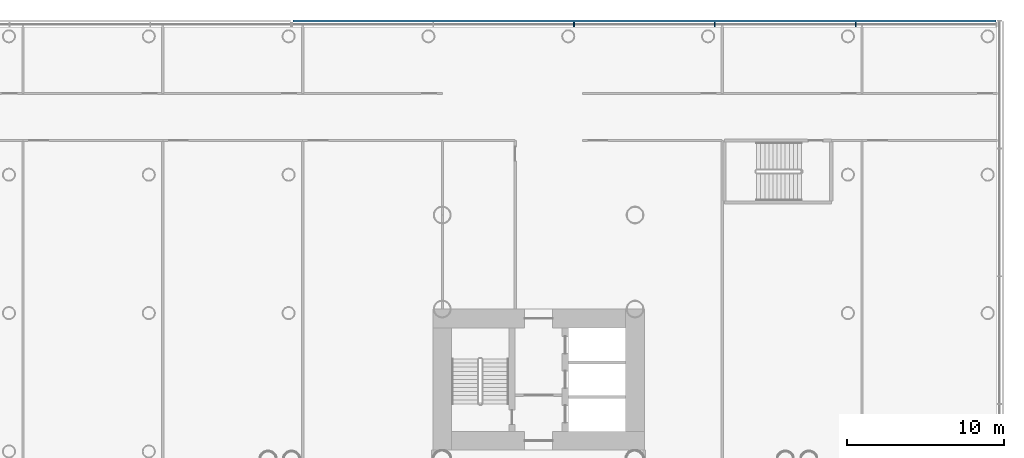
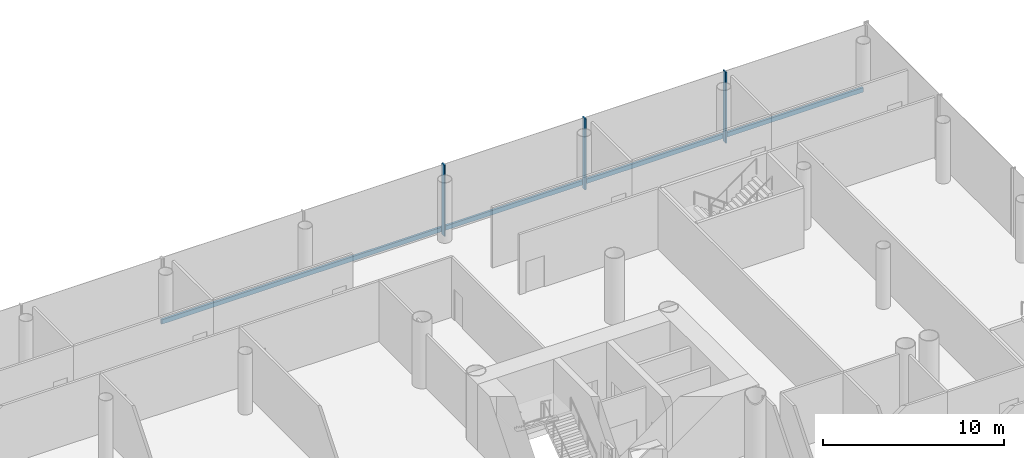
# One storey, part 12 of 49: 4 members, 1 element without a shape of its own.
"""IFC4 building model written with IfcOpenShell, lengths in metres."""

from ifc_helpers import new_model, si_unit, direction, frame, origin, origin_2d, place, context, subcontext, project, spatial, rectangle, extrude, material, layer, layer_set, material_profile, profile_set, type_object, element, aggregate, save


model = new_model("IFC4")

# Units and contexts
model_context = context("Model", 3, precision=1e-05, world=origin(), true_north=direction((0.0, 1.0)))
body_context = subcontext(model_context, "Body", "Model", "MODEL_VIEW")
ifc_project = project(units=[si_unit("LENGTHUNIT", "METRE"), si_unit("AREAUNIT", "SQUARE_METRE"), si_unit("VOLUMEUNIT", "CUBIC_METRE"), si_unit("PLANEANGLEUNIT", "RADIAN"), si_unit("MASSUNIT", "GRAM", prefix="KILO")], contexts=[model_context])

# Site, building, storey
site_placement = place(None, origin())
site = spatial("IfcSite", under=ifc_project, at=site_placement, CompositionType="ELEMENT")
building_placement = place(site_placement, origin())
building = spatial("IfcBuilding", under=site, at=building_placement, Name="Ipe Terrace Towers", CompositionType="ELEMENT")
storey_placement = place(building_placement, frame((0.0, 0.0, 20.0)))
storey = spatial("IfcBuildingStorey", under=building, at=storey_placement, Name="L04", CompositionType="ELEMENT", Elevation=20.0)

# Curtain wall, members
ifc_material_1 = material(Name="Aluminium alloy 6063-T6", Category="aluminium")
ifc_layer = layer(ifc_material_1, 0.43994140625)
ifc_layer_set = layer_set([ifc_layer], Name="PODIUM GLAZING CURTAIN WALL")
curtain_wall_type = type_object("IfcCurtainWallType", Name="PODIUM GLAZING CURTAIN WALL", PredefinedType="NOTDEFINED", material=ifc_layer_set)
curtain_wall_placement = place(storey_placement, origin())
curtain_wall = element("IfcCurtainWall", 1, at=curtain_wall_placement, inside=storey, type_object=curtain_wall_type, Name="POD-CW-L04-01a curtain wall", PredefinedType="NOTDEFINED")
ifc_material_2 = material(Name="Aluminium alloy 6063-T6", Category="aluminium")
ifc_material_profile_1 = material_profile(ifc_material_2, rectangle(XDim=0.300048828125, YDim=0.080078125, at=origin_2d()), Name="PODIUM GLAZING MULLION 300 x 80")
ifc_profile_set_1 = profile_set([ifc_material_profile_1], Name="Aluminium alloy 6063-T6")
member_type_1 = type_object("IfcMemberType", Name="PODIUM GLAZING MULLION 300 x 80", PredefinedType="MULLION", material=ifc_profile_set_1)
member_1_placement = place(storey_placement, frame((56.22607421875, 33.89990234375, -0.300048828125), z_axis=(0.0, 0.0, 1.0), x_axis=(0.0, 1.0, 0.0)))
member_1 = element("IfcMember", 2, at=member_1_placement, type_object=member_type_1, Name="POD-CW-L04-01a mullion 2", PredefinedType="MULLION", context=body_context, shape_type="SweptSolid", body=[
    extrude(rectangle(XDim=0.300048828125, YDim=0.080078125, at=origin_2d()), origin(), (0.0, 0.0, 1.0), 4.800048828125),
])
member_2_placement = place(storey_placement, frame((47.241943359375, 33.89990234375, -0.300048828125), z_axis=(0.0, 0.0, 1.0), x_axis=(0.0, 1.0, 0.0)))
member_2 = element("IfcMember", 3, at=member_2_placement, type_object=member_type_1, Name="POD-CW-L04-01a mullion 3", PredefinedType="MULLION", context=body_context, shape_type="SweptSolid", body=[
    extrude(rectangle(XDim=0.300048828125, YDim=0.080078125, at=origin_2d()), origin(), (0.0, 0.0, 1.0), 4.800048828125),
])
member_3_placement = place(storey_placement, frame((38.258056640625, 33.89990234375, -0.300048828125), z_axis=(0.0, 0.0, 1.0), x_axis=(0.0, 1.0, 0.0)))
member_3 = element("IfcMember", 4, at=member_3_placement, type_object=member_type_1, Name="POD-CW-L04-01a mullion 4", PredefinedType="MULLION", context=body_context, shape_type="SweptSolid", body=[
    extrude(rectangle(XDim=0.300048828125, YDim=0.080078125, at=origin_2d()), origin(), (0.0, 0.0, 1.0), 4.800048828125),
])
ifc_material_3 = material(Name="Aluminium alloy 6063-T6", Category="aluminium")
ifc_material_profile_2 = material_profile(ifc_material_3, rectangle(XDim=0.139892578125, YDim=0.300048828125, at=origin_2d()), Name="PODIUM GLAZING TRANSOM 140 x 300")
ifc_profile_set_2 = profile_set([ifc_material_profile_2], Name="Aluminium alloy 6063-T6")
member_type_2 = type_object("IfcMemberType", Name="PODIUM GLAZING TRANSOM 140 x 300", PredefinedType="USERDEFINED", material=ifc_profile_set_2)
member_4_placement = place(storey_placement, frame((65.169921875, 34.1201171875, 0.0), z_axis=(-1.0, 0.0, 0.0), x_axis=(0.0, 1.0, 0.0)))
member_4 = element("IfcMember", 5, at=member_4_placement, type_object=member_type_2, Name="POD-CW-L04-01a transom", ObjectType="TRANSOM", PredefinedType="USERDEFINED", context=body_context, shape_type="SweptSolid", body=[
    extrude(rectangle(XDim=0.139892578125, YDim=0.300048828125, at=origin_2d()), origin(), (0.0, 0.0, 1.0), 44.83984375),
])
aggregate(curtain_wall, [member_1, member_2, member_3, member_4])

save(model, "model.ifc")
